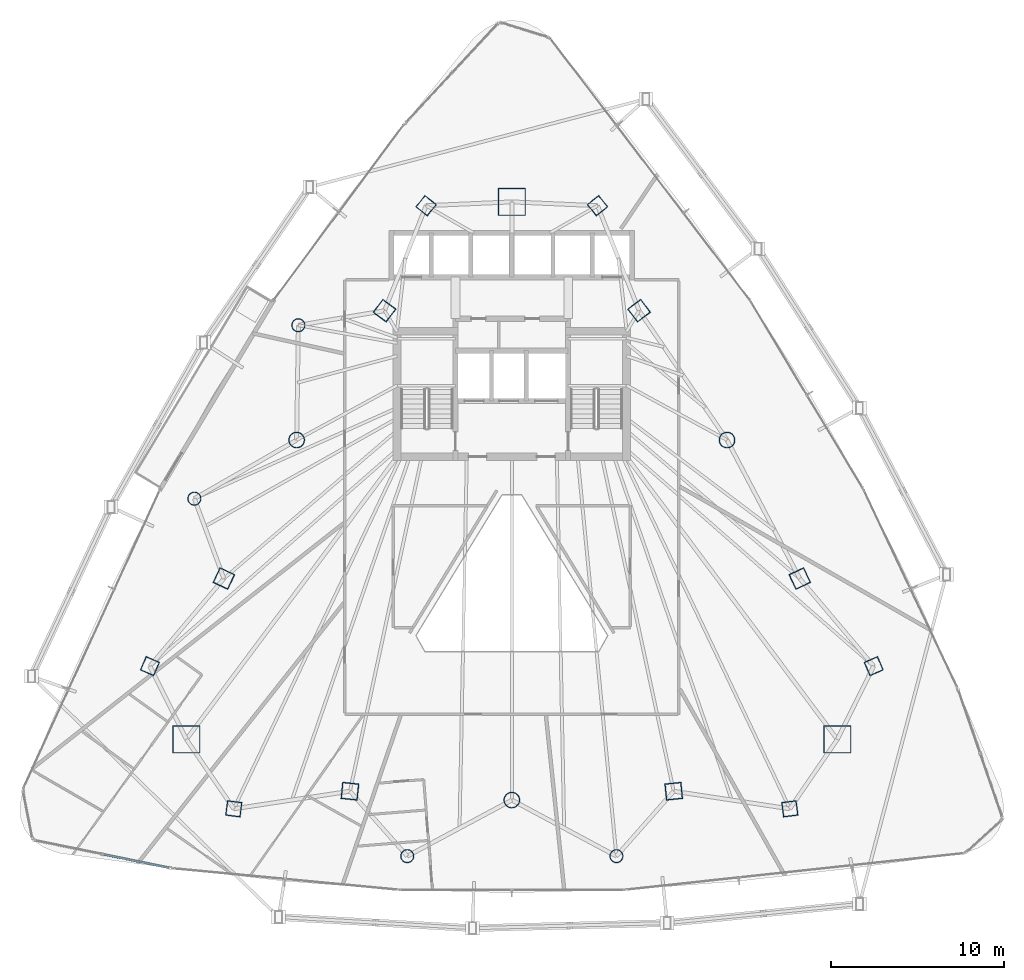
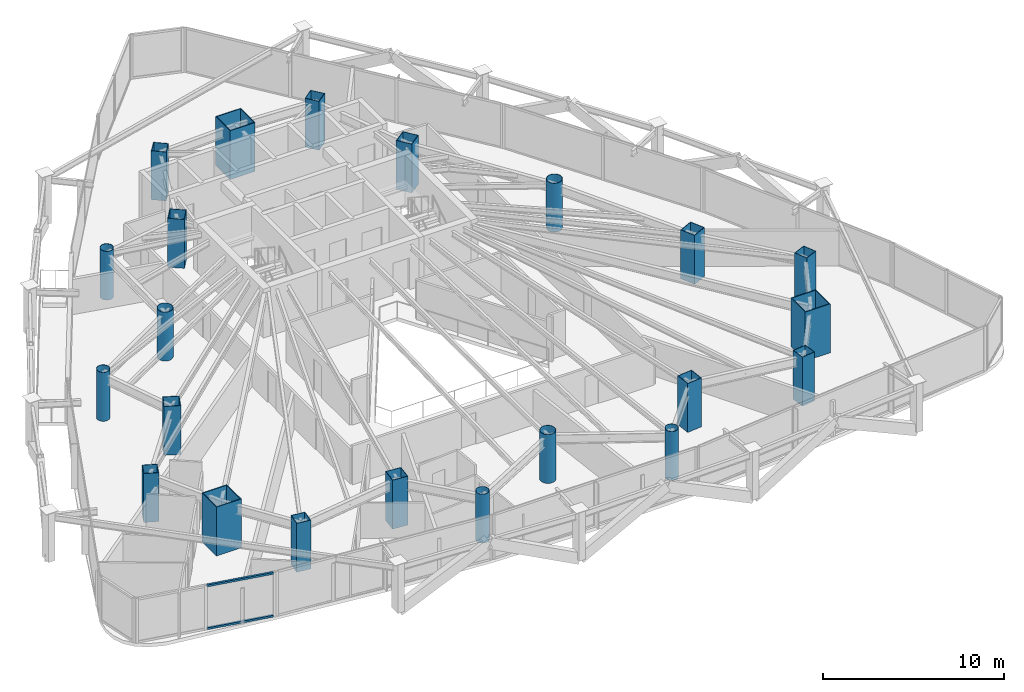
# One storey, part 1 of 38: 22 columns, 2 members, 1 element without a shape of its own.
"""IFC4 building model written with IfcOpenShell, lengths in metres."""

from ifc_helpers import new_model, si_unit, direction, frame, origin, origin_2d, place, context, subcontext, project, spatial, hollow_rectangle, hollow_circle, extrude, material, layer, layer_set, material_profile, profile_set, type_object, element, aggregate, save


model = new_model("IFC4")

# Units and contexts
model_context = context("Model", 3, precision=1e-05, world=origin(), true_north=direction((0.0, 1.0)))
body_context = subcontext(model_context, "Body", "Model", "MODEL_VIEW")
ifc_project = project(units=[si_unit("LENGTHUNIT", "METRE"), si_unit("AREAUNIT", "SQUARE_METRE"), si_unit("VOLUMEUNIT", "CUBIC_METRE"), si_unit("PLANEANGLEUNIT", "RADIAN"), si_unit("MASSUNIT", "GRAM", prefix="KILO")], contexts=[model_context])

# Site, building, storey
site_placement = place(None, origin())
site = spatial("IfcSite", under=ifc_project, at=site_placement, CompositionType="ELEMENT")
building_placement = place(site_placement, origin())
building = spatial("IfcBuilding", under=site, at=building_placement, Name="Orvanel Arch Residences", CompositionType="ELEMENT")
storey_placement = place(building_placement, frame((0.0, 0.0, 56.60009765625)))
storey = spatial("IfcBuildingStorey", under=building, at=storey_placement, Name="L15", CompositionType="ELEMENT", Elevation=56.60009765625)

# Columns
ifc_material_1 = material(Name="Structural steel AS/NZS 1163 C450L0 (Grade 450)", Category="steel")
ifc_material_profile_1 = material_profile(ifc_material_1, hollow_circle(Radius=0.381103515625, WallThickness=0.02197265625, at=origin_2d()), Name="CHS762x22")
ifc_profile_set_1 = profile_set([ifc_material_profile_1], Name="Structural steel AS/NZS 1163 C450L0 (Grade 450)")
column_type_1 = type_object("IfcColumnType", Name="CC-762", PredefinedType="COLUMN", material=ifc_profile_set_1)
for number, where, z_axis, x_axis, name in (
    (1, (20.669921875, 34.27099609375, 0.0), (0.0, 0.0, 1.0), (1.0, 0.0, 0.0), "L15 Low-Rise Buttress Tube Column 01"),
    (2, (14.662109375, 24.256103515625, 0.0), (0.0, 0.0, 1.0), (1.0, 0.0, 0.0), "L15 Low-Rise Buttress Tube Column 02"),
    (3, (26.9580078125, 3.60498046875, 0.0), (0.0, 0.0, 1.0), (1.0, 0.0, 0.0), "L15 Low-Rise Buttress Tube Column 03"),
    (4, (39.0419921875, 3.60498046875, 0.0), (0.0, 0.0, 1.0), (1.0, 0.0, 0.0), "L15 Low-Rise Buttress Tube Column 04"),
):
    element("IfcColumn", number, at=place(storey_placement, frame(where, z_axis=z_axis, x_axis=x_axis)), inside=storey, type_object=column_type_1, Name=name, PredefinedType="COLUMN", context=body_context, shape_type="SweptSolid", body=[
        extrude(hollow_circle(Radius=0.381103515625, WallThickness=0.02197265625, at=origin_2d()), origin(), (0.0, 0.0, 1.0), 3.2998046875),
    ])
ifc_material_profile_2 = material_profile(ifc_material_1, hollow_circle(Radius=0.45703125, WallThickness=0.02490234375, at=origin_2d()), Name="CHS914x25")
ifc_profile_set_2 = profile_set([ifc_material_profile_2], Name="Structural steel AS/NZS 1163 C450L0 (Grade 450)")
column_type_2 = type_object("IfcColumnType", Name="CC-914", PredefinedType="COLUMN", material=ifc_profile_set_2)
for number, where, z_axis, x_axis, name in (
    (5, (20.569091796875, 27.64111328125, 0.0), (0.0, 0.0, 1.0), (1.0, 0.0, 0.0), "L15 High-Rise Tube Column 02"),
    (6, (33.0, 6.843994140625, 0.0), (0.0, 0.0, 1.0), (1.0, 0.0, 0.0), "L15 High-Rise Tube Column 05"),
    (7, (45.430908203125, 27.64111328125, 0.0), (0.0, 0.0, 1.0), (1.0, 0.0, 0.0), "L15 High-Rise Tube Column 08"),
):
    element("IfcColumn", number, at=place(storey_placement, frame(where, z_axis=z_axis, x_axis=x_axis)), inside=storey, type_object=column_type_2, Name=name, PredefinedType="COLUMN", context=body_context, shape_type="SweptSolid", body=[
        extrude(hollow_circle(Radius=0.45703125, WallThickness=0.02490234375, at=origin_2d()), origin(), (0.0, 0.0, 1.0), 3.2998046875),
    ])
ifc_material_2 = material(Name="Structural steel AS/NZS 3678 Grade 450", Category="steel")
ifc_material_profile_3 = material_profile(ifc_material_2, hollow_rectangle(XDim=1.60009765625, YDim=1.60009765625, WallThickness=0.050048828125, at=origin_2d()), Name="BOX1600x1600x50")
ifc_profile_set_3 = profile_set([ifc_material_profile_3], Name="Structural steel AS/NZS 3678 Grade 450")
column_type_3 = type_object("IfcColumnType", Name="MC-1600", PredefinedType="COLUMN", material=ifc_profile_set_3)
for number, where, z_axis, x_axis, name in (
    (8, (33.0, 41.39794921875, 0.0), (0.0, 0.0, 1.0), (1.0, 0.0, 0.0), "L15 Corner Mega-Column 1"),
    (9, (14.198974609375, 10.35107421875, 0.0), (0.0, 0.0, 1.0), (1.0, 0.0, 0.0), "L15 Corner Mega-Column 2"),
    (10, (51.801025390625, 10.35107421875, 0.0), (0.0, 0.0, 1.0), (1.0, 0.0, 0.0), "L15 Corner Mega-Column 3"),
):
    element("IfcColumn", number, at=place(storey_placement, frame(where, z_axis=z_axis, x_axis=x_axis)), inside=storey, type_object=column_type_3, Name=name, PredefinedType="COLUMN", context=body_context, shape_type="SweptSolid", body=[
        extrude(hollow_rectangle(XDim=1.60009765625, YDim=1.60009765625, WallThickness=0.050048828125, at=origin_2d()), origin(), (0.0, 0.0, 1.0), 3.2998046875),
    ])
ifc_material_3 = material(Name="Structural steel AS/NZS 3678 Grade 350", Category="steel")
ifc_material_profile_4 = material_profile(ifc_material_3, hollow_rectangle(XDim=0.85009765625, YDim=0.85009765625, WallThickness=0.028076171875, at=origin_2d()), Name="BOX850x850x28")
ifc_profile_set_4 = profile_set([ifc_material_profile_4], Name="Structural steel AS/NZS 3678 Grade 350")
column_type_4 = type_object("IfcColumnType", Name="TC-850", PredefinedType="COLUMN", material=ifc_profile_set_4)
for number, where, z_axis, x_axis, name in (
    (11, (28.050048828125, 41.177978515625, 0.0), (0.0, 0.0, 1.0), (0.623879596709, 0.781520472419, 0.0), "L15 Mid-Rise Buttress Tube Column 01"),
    (12, (12.094970703125, 14.580078125, 0.0), (0.0, 0.0, 1.0), (0.397147890635, 0.917754625684, 0.0), "L15 Mid-Rise Buttress Tube Column 02"),
    (13, (16.94091796875, 6.339111328125, 0.0), (0.0, 0.0, 1.0), (-0.99189444259, 0.127064608601, 0.0), "L15 Mid-Rise Buttress Tube Column 03"),
    (14, (49.05908203125, 6.339111328125, 0.0), (0.0, 0.0, 1.0), (0.99189444259, 0.127064608601, 0.0), "L15 Mid-Rise Buttress Tube Column 04"),
    (15, (53.905029296875, 14.580078125, 0.0), (0.0, 0.0, 1.0), (-0.397147890635, 0.917754625684, 0.0), "L15 Mid-Rise Buttress Tube Column 05"),
    (16, (37.949951171875, 41.177978515625, 0.0), (0.0, 0.0, 1.0), (-0.623879596709, 0.781520472419, 0.0), "L15 Mid-Rise Buttress Tube Column 06"),
):
    element("IfcColumn", number, at=place(storey_placement, frame(where, z_axis=z_axis, x_axis=x_axis)), inside=storey, type_object=column_type_4, Name=name, PredefinedType="COLUMN", context=body_context, shape_type="SweptSolid", body=[
        extrude(hollow_rectangle(XDim=0.85009765625, YDim=0.85009765625, WallThickness=0.028076171875, at=origin_2d()), origin(), (0.0, 0.0, 1.0), 3.2998046875),
    ])
ifc_material_profile_5 = material_profile(ifc_material_3, hollow_rectangle(XDim=0.949951171875, YDim=0.949951171875, WallThickness=0.031982421875, at=origin_2d()), Name="BOX950x950x32")
ifc_profile_set_5 = profile_set([ifc_material_profile_5], Name="Structural steel AS/NZS 3678 Grade 350")
column_type_5 = type_object("IfcColumnType", Name="TC-950", PredefinedType="COLUMN", material=ifc_profile_set_5)
for number, where, z_axis, x_axis, name in (
    (17, (25.64794921875, 35.113037109375, 0.0), (0.0, 0.0, 1.0), (0.600420225326, 0.799684658487, 0.0), "L15 High-Rise Tube Column 01"),
    (18, (16.366943359375, 19.64208984375, 0.0), (0.0, 0.0, 1.0), (0.422618261741, 0.906307787037, 0.0), "L15 High-Rise Tube Column 03"),
    (19, (23.64892578125, 7.35498046875, 0.0), (0.0, 0.0, 1.0), (-0.994880708829, 0.101056297183, 0.0), "L15 High-Rise Tube Column 04"),
    (20, (42.35107421875, 7.35498046875, 0.0), (0.0, 0.0, 1.0), (0.994880708829, 0.101056297183, 0.0), "L15 High-Rise Tube Column 06"),
    (21, (49.633056640625, 19.64208984375, 0.0), (0.0, 0.0, 1.0), (-0.422618261741, 0.906307787037, 0.0), "L15 High-Rise Tube Column 07"),
    (22, (40.35205078125, 35.113037109375, 0.0), (0.0, 0.0, 1.0), (-0.600420225326, 0.799684658487, 0.0), "L15 High-Rise Tube Column 09"),
):
    element("IfcColumn", number, at=place(storey_placement, frame(where, z_axis=z_axis, x_axis=x_axis)), inside=storey, type_object=column_type_5, Name=name, PredefinedType="COLUMN", context=body_context, shape_type="SweptSolid", body=[
        extrude(hollow_rectangle(XDim=0.949951171875, YDim=0.949951171875, WallThickness=0.031982421875, at=origin_2d()), origin(), (0.0, 0.0, 1.0), 3.2998046875),
    ])

# Curtain wall, members
ifc_material_4 = material(Name="Bronze-anodised aluminium AA6063-T6", Category="aluminium")
ifc_layer = layer(ifc_material_4, 0.18994140625)
ifc_layer_set = layer_set([ifc_layer], Name="Bronze-anodised aluminium AA6063-T6")
curtain_wall_type = type_object("IfcCurtainWallType", Name="CW5-CRN-SYS", PredefinedType="NOTDEFINED", material=ifc_layer_set)
curtain_wall_placement = place(storey_placement, origin())
curtain_wall = element("IfcCurtainWall", 23, at=curtain_wall_placement, inside=storey, type_object=curtain_wall_type, Name="L15 CW5-CRN-SYS Unitised Curtain Wall", PredefinedType="NOTDEFINED")
ifc_material_profile_6 = material_profile(ifc_material_4, hollow_rectangle(XDim=0.1298828125, YDim=0.1298828125, WallThickness=0.00439453125, at=origin_2d()), Name="ALU130x130x4.5")
ifc_profile_set_6 = profile_set([ifc_material_profile_6], Name="Bronze-anodised aluminium AA6063-T6")
member_type = type_object("IfcMemberType", Name="TRN-130x130", PredefinedType="USERDEFINED", material=ifc_profile_set_6)
member_1_placement = place(storey_placement, frame((9.41748046875, 3.70849609375, 0.06494140625), z_axis=(0.97974683009, -0.200240228048, 0.0), x_axis=(0.200240228048, 0.97974683009, 0.0)))
member_1 = element("IfcMember", 24, at=member_1_placement, type_object=member_type, Name="CW-S5 transom 2.1", ObjectType="TRANSOM", PredefinedType="USERDEFINED", context=body_context, shape_type="SweptSolid", body=[
    extrude(hollow_rectangle(XDim=0.1298828125, YDim=0.1298828125, WallThickness=0.00439453125, at=origin_2d()), origin(), (0.0, 0.0, 1.0), 3.857666015625),
])
member_2_placement = place(storey_placement, frame((9.41748046875, 3.70849609375, 2.954833984375), z_axis=(0.97974683009, -0.200240228048, 0.0), x_axis=(0.200240228048, 0.97974683009, 0.0)))
member_2 = element("IfcMember", 25, at=member_2_placement, type_object=member_type, Name="CW-S5 transom 2.2", ObjectType="TRANSOM", PredefinedType="USERDEFINED", context=body_context, shape_type="SweptSolid", body=[
    extrude(hollow_rectangle(XDim=0.1298828125, YDim=0.1298828125, WallThickness=0.00439453125, at=origin_2d()), origin(), (0.0, 0.0, 1.0), 3.857666015625),
])
aggregate(curtain_wall, [member_1, member_2])

save(model, "model.ifc")
